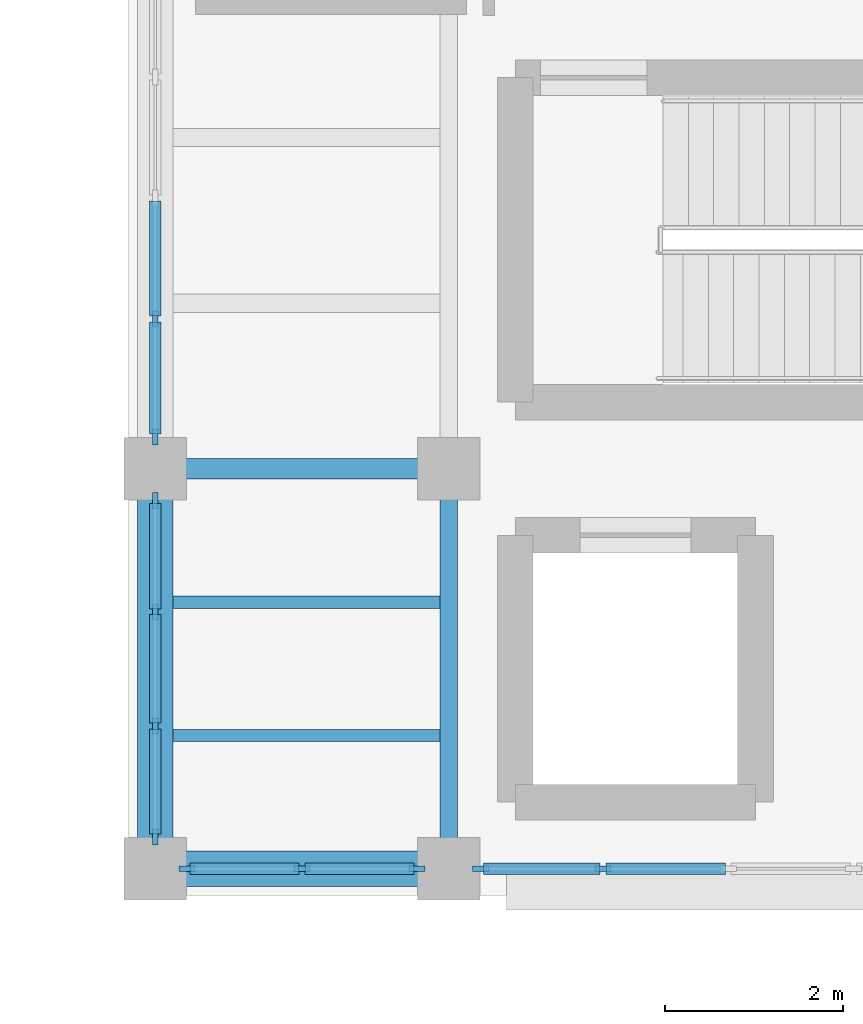
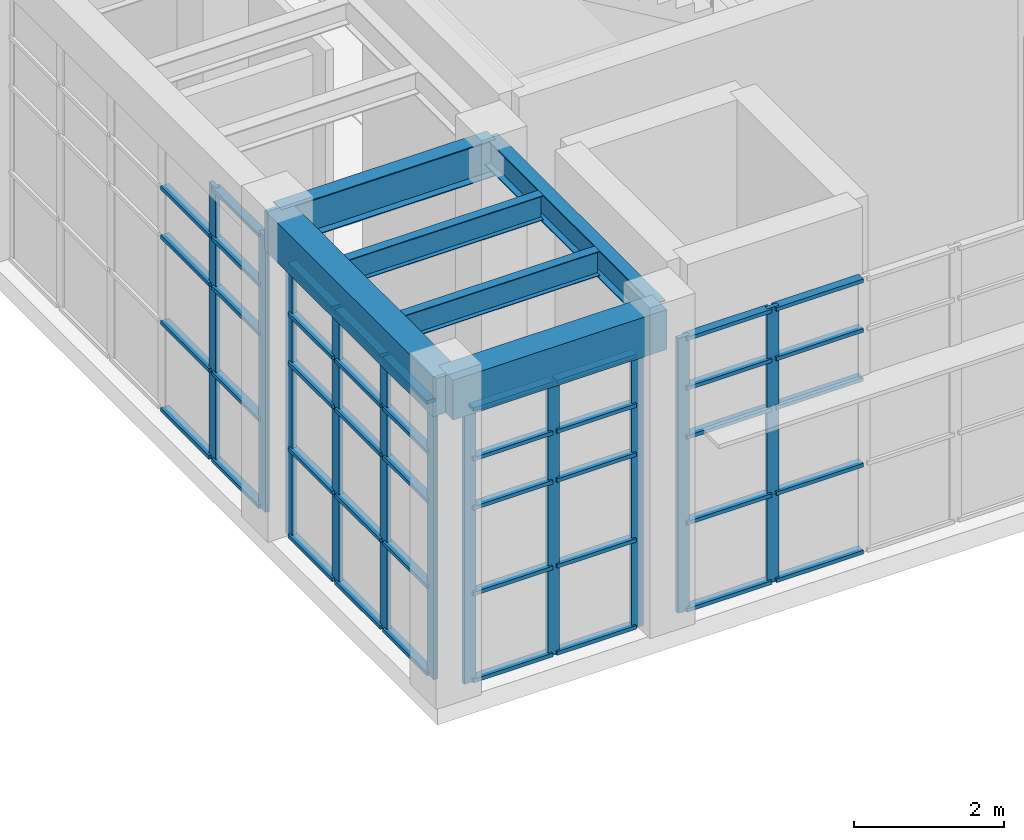
# One storey, part 33 of 103: 55 members, 6 beams, 4 elements without a shape of their own.
"""IFC4 building model written with IfcOpenShell, lengths in metres."""

from ifc_helpers import new_model, si_unit, direction, frame, origin, origin_2d, place, context, subcontext, project, spatial, rectangle, i_section, extrude, material, layer, layer_set, material_profile, profile_set, type_object, element, aggregate, save


model = new_model("IFC4")

# Units and contexts
model_context = context("Model", 3, precision=1e-05, world=origin(), true_north=direction((0.0, 1.0)))
body_context = subcontext(model_context, "Body", "Model", "MODEL_VIEW")
ifc_project = project(units=[si_unit("LENGTHUNIT", "METRE"), si_unit("AREAUNIT", "SQUARE_METRE"), si_unit("VOLUMEUNIT", "CUBIC_METRE"), si_unit("PLANEANGLEUNIT", "RADIAN"), si_unit("MASSUNIT", "GRAM", prefix="KILO")], contexts=[model_context])

# Site, building, storey
site_placement = place(None, origin())
site = spatial("IfcSite", under=ifc_project, at=site_placement, CompositionType="ELEMENT")
building_placement = place(site_placement, origin())
building = spatial("IfcBuilding", under=site, at=building_placement, Name="Candilejo Ridge Gondola Terminal", CompositionType="ELEMENT")
storey_placement = place(building_placement, frame((0.0, 0.0, 9.0)))
storey = spatial("IfcBuildingStorey", under=building, at=storey_placement, Name="L02", CompositionType="ELEMENT", Elevation=9.0)

# Curtain wall, members
ifc_material_1 = material(Name="Anodised aluminium AA 6063-T6", Category="aluminium")
ifc_layer_1 = layer(ifc_material_1, 0.169921875)
ifc_layer_set_1 = layer_set([ifc_layer_1], Name="ARC-CW-HALL-3800-385X449")
curtain_wall_type_1 = type_object("IfcCurtainWallType", Name="ARC-CW-HALL-3800-385X449", PredefinedType="NOTDEFINED", material=ifc_layer_set_1)
curtain_wall_1_placement = place(storey_placement, origin())
curtain_wall_1 = element("IfcCurtainWall", 1, at=curtain_wall_1_placement, inside=storey, type_object=curtain_wall_type_1, Name="Curtain wall V4 L02-132", PredefinedType="NOTDEFINED")
ifc_material_2 = material(Name="Anodised aluminium AA 6063-T6", Category="aluminium")
ifc_material_profile_1 = material_profile(ifc_material_2, rectangle(XDim=0.06494140625, YDim=0.179931640625, at=origin_2d()))
ifc_profile_set_1 = profile_set([ifc_material_profile_1], Name="Anodised aluminium AA 6063-T6")
member_type_1 = type_object("IfcMemberType", Name="ARC-CW-MULLION-180", PredefinedType="MULLION", material=ifc_profile_set_1)
member_1_placement = place(storey_placement, frame((133.89990234375, 6.657470703125, 0.0), z_axis=(0.0, 0.0, 1.0), x_axis=(-1.0, 0.0, 0.0)))
member_1 = element("IfcMember", 2, at=member_1_placement, type_object=member_type_1, Name="CW-38X44 mullion 1", PredefinedType="MULLION", context=body_context, shape_type="SweptSolid", body=[
    extrude(rectangle(XDim=0.06494140625, YDim=0.179931640625, at=origin_2d()), origin(), (0.0, 0.0, 1.0), 4.489990234375),
])
member_2_placement = place(storey_placement, frame((133.89990234375, 7.908447265625, 0.0), z_axis=(0.0, 0.0, 1.0), x_axis=(-1.0, 0.0, 0.0)))
member_2 = element("IfcMember", 3, at=member_2_placement, type_object=member_type_1, Name="CW-38X44 mullion 2", PredefinedType="MULLION", context=body_context, shape_type="SweptSolid", body=[
    extrude(rectangle(XDim=0.06494140625, YDim=0.179931640625, at=origin_2d()), origin(), (0.0, 0.0, 1.0), 4.489990234375),
])
member_3_placement = place(storey_placement, frame((133.89990234375, 9.191650390625, 0.0), z_axis=(0.0, 0.0, 1.0), x_axis=(-1.0, 0.0, 0.0)))
member_3 = element("IfcMember", 4, at=member_3_placement, type_object=member_type_1, Name="CW-38X44 mullion 3", PredefinedType="MULLION", context=body_context, shape_type="SweptSolid", body=[
    extrude(rectangle(XDim=0.06494140625, YDim=0.179931640625, at=origin_2d()), origin(), (0.0, 0.0, 1.0), 4.489990234375),
])
member_4_placement = place(storey_placement, frame((133.89990234375, 10.4423828125, 0.0), z_axis=(0.0, 0.0, 1.0), x_axis=(-1.0, 0.0, 0.0)))
member_4 = element("IfcMember", 5, at=member_4_placement, type_object=member_type_1, Name="CW-38X44 mullion 4", PredefinedType="MULLION", context=body_context, shape_type="SweptSolid", body=[
    extrude(rectangle(XDim=0.06494140625, YDim=0.179931640625, at=origin_2d()), origin(), (0.0, 0.0, 1.0), 4.489990234375),
])

ifc_material_3 = material(Name="Anodised aluminium AA 6063-T6", Category="aluminium")
ifc_layer_2 = layer(ifc_material_3, 0.169921875)
ifc_layer_set_2 = layer_set([ifc_layer_2], Name="ARC-CW-HALL-3800-680X449")
curtain_wall_type_2 = type_object("IfcCurtainWallType", Name="ARC-CW-HALL-3800-680X449", PredefinedType="NOTDEFINED", material=ifc_layer_set_2)
curtain_wall_2_placement = place(storey_placement, origin())
curtain_wall_2 = element("IfcCurtainWall", 6, at=curtain_wall_2_placement, inside=storey, type_object=curtain_wall_type_2, Name="Curtain wall V4 L02-134", PredefinedType="NOTDEFINED")
member_5_placement = place(storey_placement, frame((133.89990234375, 11.157470703125, 0.0), z_axis=(0.0, 0.0, 1.0), x_axis=(-1.0, 0.0, 0.0)))
member_5 = element("IfcMember", 7, at=member_5_placement, type_object=member_type_1, Name="CW-68X44 mullion 1", PredefinedType="MULLION", context=body_context, shape_type="SweptSolid", body=[
    extrude(rectangle(XDim=0.06494140625, YDim=0.179931640625, at=origin_2d()), origin(), (0.0, 0.0, 1.0), 4.489990234375),
])
member_6_placement = place(storey_placement, frame((133.89990234375, 12.485107421875, 0.0), z_axis=(0.0, 0.0, 1.0), x_axis=(-1.0, 0.0, 0.0)))
member_6 = element("IfcMember", 8, at=member_6_placement, type_object=member_type_1, Name="CW-68X44 mullion 2", PredefinedType="MULLION", context=body_context, shape_type="SweptSolid", body=[
    extrude(rectangle(XDim=0.06494140625, YDim=0.179931640625, at=origin_2d()), origin(), (0.0, 0.0, 1.0), 4.489990234375),
])

ifc_material_4 = material(Name="Anodised aluminium AA 6063-T6", Category="aluminium")
ifc_layer_3 = layer(ifc_material_4, 0.169921875)
ifc_layer_set_3 = layer_set([ifc_layer_3], Name="ARC-CW-HALL-3800-265X449")
curtain_wall_type_3 = type_object("IfcCurtainWallType", Name="ARC-CW-HALL-3800-265X449", PredefinedType="NOTDEFINED", material=ifc_layer_set_3)
curtain_wall_3_placement = place(storey_placement, origin())
curtain_wall_3 = element("IfcCurtainWall", 9, at=curtain_wall_3_placement, inside=storey, type_object=curtain_wall_type_3, Name="Curtain wall V4 L02-144", PredefinedType="NOTDEFINED")
member_7_placement = place(storey_placement, frame((134.257568359375, 6.300048828125, 0.0), z_axis=(0.0, 0.0, 1.0), x_axis=(0.0, 1.0, 0.0)))
member_7 = element("IfcMember", 10, at=member_7_placement, type_object=member_type_1, Name="CW-26X44 mullion 1", PredefinedType="MULLION", context=body_context, shape_type="SweptSolid", body=[
    extrude(rectangle(XDim=0.06494140625, YDim=0.179931640625, at=origin_2d()), origin(), (0.0, 0.0, 1.0), 4.489990234375),
])
member_8_placement = place(storey_placement, frame((135.550048828125, 6.300048828125, 0.0), z_axis=(0.0, 0.0, 1.0), x_axis=(0.0, 1.0, 0.0)))
member_8 = element("IfcMember", 11, at=member_8_placement, type_object=member_type_1, Name="CW-26X44 mullion 2", PredefinedType="MULLION", context=body_context, shape_type="SweptSolid", body=[
    extrude(rectangle(XDim=0.06494140625, YDim=0.179931640625, at=origin_2d()), origin(), (0.0, 0.0, 1.0), 4.489990234375),
])
member_9_placement = place(storey_placement, frame((136.842529296875, 6.300048828125, 0.0), z_axis=(0.0, 0.0, 1.0), x_axis=(0.0, 1.0, 0.0)))
member_9 = element("IfcMember", 12, at=member_9_placement, type_object=member_type_1, Name="CW-26X44 mullion 3", PredefinedType="MULLION", context=body_context, shape_type="SweptSolid", body=[
    extrude(rectangle(XDim=0.06494140625, YDim=0.179931640625, at=origin_2d()), origin(), (0.0, 0.0, 1.0), 4.489990234375),
])

ifc_material_5 = material(Name="Anodised aluminium AA 6063-T6", Category="aluminium")
ifc_layer_4 = layer(ifc_material_5, 0.169921875)
ifc_layer_set_4 = layer_set([ifc_layer_4], Name="ARC-CW-HALL-3800-1128X449")
curtain_wall_type_4 = type_object("IfcCurtainWallType", Name="ARC-CW-HALL-3800-1128X449", PredefinedType="NOTDEFINED", material=ifc_layer_set_4)
curtain_wall_4_placement = place(storey_placement, origin())
curtain_wall_4 = element("IfcCurtainWall", 13, at=curtain_wall_4_placement, inside=storey, type_object=curtain_wall_type_4, Name="Curtain wall V4 L02-146", PredefinedType="NOTDEFINED")
member_10_placement = place(storey_placement, frame((137.5576171875, 6.300048828125, 0.0), z_axis=(0.0, 0.0, 1.0), x_axis=(0.0, 1.0, 0.0)))
member_10 = element("IfcMember", 14, at=member_10_placement, type_object=member_type_1, Name="CW-112X44 mullion 1", PredefinedType="MULLION", context=body_context, shape_type="SweptSolid", body=[
    extrude(rectangle(XDim=0.06494140625, YDim=0.179931640625, at=origin_2d()), origin(), (0.0, 0.0, 1.0), 4.489990234375),
])
member_11_placement = place(storey_placement, frame((138.934326171875, 6.300048828125, 0.0), z_axis=(0.0, 0.0, 1.0), x_axis=(0.0, 1.0, 0.0)))
member_11 = element("IfcMember", 15, at=member_11_placement, type_object=member_type_1, Name="CW-112X44 mullion 2", PredefinedType="MULLION", context=body_context, shape_type="SweptSolid", body=[
    extrude(rectangle(XDim=0.06494140625, YDim=0.179931640625, at=origin_2d()), origin(), (0.0, 0.0, 1.0), 4.489990234375),
])

# Member
ifc_material_6 = material(Name="Anodised aluminium AA 6063-T6", Category="aluminium")
ifc_material_profile_2 = material_profile(ifc_material_6, rectangle(XDim=0.1298828125, YDim=0.06005859375, at=origin_2d()))
ifc_profile_set_2 = profile_set([ifc_material_profile_2], Name="Anodised aluminium AA 6063-T6")
member_type_2 = type_object("IfcMemberType", Name="ARC-CW-TRANSOM-130", PredefinedType="USERDEFINED", material=ifc_profile_set_2)
member_12_placement = place(storey_placement, frame((133.89990234375, 6.68994140625, 0.030029296875), z_axis=(0.0, 1.0, 0.0), x_axis=(-1.0, 0.0, 0.0)))
member_12 = element("IfcMember", 16, at=member_12_placement, type_object=member_type_2, Name="CW-38X44 transom 1.1", ObjectType="TRANSOM", PredefinedType="USERDEFINED", context=body_context, shape_type="SweptSolid", body=[
    extrude(rectangle(XDim=0.1298828125, YDim=0.06005859375, at=origin_2d()), origin(), (0.0, 0.0, 1.0), 1.185791015625),
])

member_13_placement = place(storey_placement, frame((133.89990234375, 6.68994140625, 1.449951171875), z_axis=(0.0, 1.0, 0.0), x_axis=(-1.0, 0.0, 0.0)))
member_13 = element("IfcMember", 17, at=member_13_placement, type_object=member_type_2, Name="CW-38X44 transom 1.2", ObjectType="TRANSOM", PredefinedType="USERDEFINED", context=body_context, shape_type="SweptSolid", body=[
    extrude(rectangle(XDim=0.1298828125, YDim=0.06005859375, at=origin_2d()), origin(), (0.0, 0.0, 1.0), 1.185791015625),
])

member_14_placement = place(storey_placement, frame((133.89990234375, 6.68994140625, 2.85009765625), z_axis=(0.0, 1.0, 0.0), x_axis=(-1.0, 0.0, 0.0)))
member_14 = element("IfcMember", 18, at=member_14_placement, type_object=member_type_2, Name="CW-38X44 transom 1.3", ObjectType="TRANSOM", PredefinedType="USERDEFINED", context=body_context, shape_type="SweptSolid", body=[
    extrude(rectangle(XDim=0.1298828125, YDim=0.06005859375, at=origin_2d()), origin(), (0.0, 0.0, 1.0), 1.185791015625),
])

member_15_placement = place(storey_placement, frame((133.89990234375, 6.68994140625, 3.64990234375), z_axis=(0.0, 1.0, 0.0), x_axis=(-1.0, 0.0, 0.0)))
member_15 = element("IfcMember", 19, at=member_15_placement, type_object=member_type_2, Name="CW-38X44 transom 1.4", ObjectType="TRANSOM", PredefinedType="USERDEFINED", context=body_context, shape_type="SweptSolid", body=[
    extrude(rectangle(XDim=0.1298828125, YDim=0.06005859375, at=origin_2d()), origin(), (0.0, 0.0, 1.0), 1.185791015625),
])

member_16_placement = place(storey_placement, frame((133.89990234375, 6.68994140625, 4.4599609375), z_axis=(0.0, 1.0, 0.0), x_axis=(-1.0, 0.0, 0.0)))
member_16 = element("IfcMember", 20, at=member_16_placement, type_object=member_type_2, Name="CW-38X44 transom 1.5", ObjectType="TRANSOM", PredefinedType="USERDEFINED", context=body_context, shape_type="SweptSolid", body=[
    extrude(rectangle(XDim=0.1298828125, YDim=0.06005859375, at=origin_2d()), origin(), (0.0, 0.0, 1.0), 1.185791015625),
])

member_17_placement = place(storey_placement, frame((133.89990234375, 7.94091796875, 0.030029296875), z_axis=(0.0, 1.0, 0.0), x_axis=(-1.0, 0.0, 0.0)))
member_17 = element("IfcMember", 21, at=member_17_placement, type_object=member_type_2, Name="CW-38X44 transom 2.1", ObjectType="TRANSOM", PredefinedType="USERDEFINED", context=body_context, shape_type="SweptSolid", body=[
    extrude(rectangle(XDim=0.1298828125, YDim=0.06005859375, at=origin_2d()), origin(), (0.0, 0.0, 1.0), 1.21826171875),
])

member_18_placement = place(storey_placement, frame((133.89990234375, 7.94091796875, 1.449951171875), z_axis=(0.0, 1.0, 0.0), x_axis=(-1.0, 0.0, 0.0)))
member_18 = element("IfcMember", 22, at=member_18_placement, type_object=member_type_2, Name="CW-38X44 transom 2.2", ObjectType="TRANSOM", PredefinedType="USERDEFINED", context=body_context, shape_type="SweptSolid", body=[
    extrude(rectangle(XDim=0.1298828125, YDim=0.06005859375, at=origin_2d()), origin(), (0.0, 0.0, 1.0), 1.21826171875),
])

member_19_placement = place(storey_placement, frame((133.89990234375, 7.94091796875, 2.85009765625), z_axis=(0.0, 1.0, 0.0), x_axis=(-1.0, 0.0, 0.0)))
member_19 = element("IfcMember", 23, at=member_19_placement, type_object=member_type_2, Name="CW-38X44 transom 2.3", ObjectType="TRANSOM", PredefinedType="USERDEFINED", context=body_context, shape_type="SweptSolid", body=[
    extrude(rectangle(XDim=0.1298828125, YDim=0.06005859375, at=origin_2d()), origin(), (0.0, 0.0, 1.0), 1.21826171875),
])

member_20_placement = place(storey_placement, frame((133.89990234375, 7.94091796875, 3.64990234375), z_axis=(0.0, 1.0, 0.0), x_axis=(-1.0, 0.0, 0.0)))
member_20 = element("IfcMember", 24, at=member_20_placement, type_object=member_type_2, Name="CW-38X44 transom 2.4", ObjectType="TRANSOM", PredefinedType="USERDEFINED", context=body_context, shape_type="SweptSolid", body=[
    extrude(rectangle(XDim=0.1298828125, YDim=0.06005859375, at=origin_2d()), origin(), (0.0, 0.0, 1.0), 1.21826171875),
])

member_21_placement = place(storey_placement, frame((133.89990234375, 7.94091796875, 4.4599609375), z_axis=(0.0, 1.0, 0.0), x_axis=(-1.0, 0.0, 0.0)))
member_21 = element("IfcMember", 25, at=member_21_placement, type_object=member_type_2, Name="CW-38X44 transom 2.5", ObjectType="TRANSOM", PredefinedType="USERDEFINED", context=body_context, shape_type="SweptSolid", body=[
    extrude(rectangle(XDim=0.1298828125, YDim=0.06005859375, at=origin_2d()), origin(), (0.0, 0.0, 1.0), 1.21826171875),
])

member_22_placement = place(storey_placement, frame((133.89990234375, 9.22412109375, 0.030029296875), z_axis=(0.0, 1.0, 0.0), x_axis=(-1.0, 0.0, 0.0)))
member_22 = element("IfcMember", 26, at=member_22_placement, type_object=member_type_2, Name="CW-38X44 transom 3.1", ObjectType="TRANSOM", PredefinedType="USERDEFINED", context=body_context, shape_type="SweptSolid", body=[
    extrude(rectangle(XDim=0.1298828125, YDim=0.06005859375, at=origin_2d()), origin(), (0.0, 0.0, 1.0), 1.185791015625),
])

member_23_placement = place(storey_placement, frame((133.89990234375, 9.22412109375, 1.449951171875), z_axis=(0.0, 1.0, 0.0), x_axis=(-1.0, 0.0, 0.0)))
member_23 = element("IfcMember", 27, at=member_23_placement, type_object=member_type_2, Name="CW-38X44 transom 3.2", ObjectType="TRANSOM", PredefinedType="USERDEFINED", context=body_context, shape_type="SweptSolid", body=[
    extrude(rectangle(XDim=0.1298828125, YDim=0.06005859375, at=origin_2d()), origin(), (0.0, 0.0, 1.0), 1.185791015625),
])

member_24_placement = place(storey_placement, frame((133.89990234375, 9.22412109375, 2.85009765625), z_axis=(0.0, 1.0, 0.0), x_axis=(-1.0, 0.0, 0.0)))
member_24 = element("IfcMember", 28, at=member_24_placement, type_object=member_type_2, Name="CW-38X44 transom 3.3", ObjectType="TRANSOM", PredefinedType="USERDEFINED", context=body_context, shape_type="SweptSolid", body=[
    extrude(rectangle(XDim=0.1298828125, YDim=0.06005859375, at=origin_2d()), origin(), (0.0, 0.0, 1.0), 1.185791015625),
])

member_25_placement = place(storey_placement, frame((133.89990234375, 9.22412109375, 3.64990234375), z_axis=(0.0, 1.0, 0.0), x_axis=(-1.0, 0.0, 0.0)))
member_25 = element("IfcMember", 29, at=member_25_placement, type_object=member_type_2, Name="CW-38X44 transom 3.4", ObjectType="TRANSOM", PredefinedType="USERDEFINED", context=body_context, shape_type="SweptSolid", body=[
    extrude(rectangle(XDim=0.1298828125, YDim=0.06005859375, at=origin_2d()), origin(), (0.0, 0.0, 1.0), 1.185791015625),
])

member_26_placement = place(storey_placement, frame((133.89990234375, 9.22412109375, 4.4599609375), z_axis=(0.0, 1.0, 0.0), x_axis=(-1.0, 0.0, 0.0)))
member_26 = element("IfcMember", 30, at=member_26_placement, type_object=member_type_2, Name="CW-38X44 transom 3.5", ObjectType="TRANSOM", PredefinedType="USERDEFINED", context=body_context, shape_type="SweptSolid", body=[
    extrude(rectangle(XDim=0.1298828125, YDim=0.06005859375, at=origin_2d()), origin(), (0.0, 0.0, 1.0), 1.185791015625),
])

aggregate(curtain_wall_1, [member_1, member_2, member_3, member_4, member_12, member_13, member_14, member_15, member_16, member_17, member_18, member_19, member_20, member_21, member_22, member_23, member_24, member_25, member_26])

member_27_placement = place(storey_placement, frame((133.89990234375, 11.18994140625, 0.030029296875), z_axis=(0.0, 1.0, 0.0), x_axis=(-1.0, 0.0, 0.0)))
member_27 = element("IfcMember", 31, at=member_27_placement, type_object=member_type_2, Name="CW-68X44 transom 1.1", ObjectType="TRANSOM", PredefinedType="USERDEFINED", context=body_context, shape_type="SweptSolid", body=[
    extrude(rectangle(XDim=0.1298828125, YDim=0.06005859375, at=origin_2d()), origin(), (0.0, 0.0, 1.0), 1.262451171875),
])

member_28_placement = place(storey_placement, frame((133.89990234375, 11.18994140625, 1.449951171875), z_axis=(0.0, 1.0, 0.0), x_axis=(-1.0, 0.0, 0.0)))
member_28 = element("IfcMember", 32, at=member_28_placement, type_object=member_type_2, Name="CW-68X44 transom 1.2", ObjectType="TRANSOM", PredefinedType="USERDEFINED", context=body_context, shape_type="SweptSolid", body=[
    extrude(rectangle(XDim=0.1298828125, YDim=0.06005859375, at=origin_2d()), origin(), (0.0, 0.0, 1.0), 1.262451171875),
])

member_29_placement = place(storey_placement, frame((133.89990234375, 11.18994140625, 2.85009765625), z_axis=(0.0, 1.0, 0.0), x_axis=(-1.0, 0.0, 0.0)))
member_29 = element("IfcMember", 33, at=member_29_placement, type_object=member_type_2, Name="CW-68X44 transom 1.3", ObjectType="TRANSOM", PredefinedType="USERDEFINED", context=body_context, shape_type="SweptSolid", body=[
    extrude(rectangle(XDim=0.1298828125, YDim=0.06005859375, at=origin_2d()), origin(), (0.0, 0.0, 1.0), 1.262451171875),
])

member_30_placement = place(storey_placement, frame((133.89990234375, 11.18994140625, 3.64990234375), z_axis=(0.0, 1.0, 0.0), x_axis=(-1.0, 0.0, 0.0)))
member_30 = element("IfcMember", 34, at=member_30_placement, type_object=member_type_2, Name="CW-68X44 transom 1.4", ObjectType="TRANSOM", PredefinedType="USERDEFINED", context=body_context, shape_type="SweptSolid", body=[
    extrude(rectangle(XDim=0.1298828125, YDim=0.06005859375, at=origin_2d()), origin(), (0.0, 0.0, 1.0), 1.262451171875),
])

member_31_placement = place(storey_placement, frame((133.89990234375, 11.18994140625, 4.4599609375), z_axis=(0.0, 1.0, 0.0), x_axis=(-1.0, 0.0, 0.0)))
member_31 = element("IfcMember", 35, at=member_31_placement, type_object=member_type_2, Name="CW-68X44 transom 1.5", ObjectType="TRANSOM", PredefinedType="USERDEFINED", context=body_context, shape_type="SweptSolid", body=[
    extrude(rectangle(XDim=0.1298828125, YDim=0.06005859375, at=origin_2d()), origin(), (0.0, 0.0, 1.0), 1.262451171875),
])

member_32_placement = place(storey_placement, frame((133.89990234375, 12.517578125, 0.030029296875), z_axis=(0.0, 1.0, 0.0), x_axis=(-1.0, 0.0, 0.0)))
member_32 = element("IfcMember", 36, at=member_32_placement, type_object=member_type_2, Name="CW-68X44 transom 2.1", ObjectType="TRANSOM", PredefinedType="USERDEFINED", context=body_context, shape_type="SweptSolid", body=[
    extrude(rectangle(XDim=0.1298828125, YDim=0.06005859375, at=origin_2d()), origin(), (0.0, 0.0, 1.0), 1.294921875),
])

member_33_placement = place(storey_placement, frame((133.89990234375, 12.517578125, 1.449951171875), z_axis=(0.0, 1.0, 0.0), x_axis=(-1.0, 0.0, 0.0)))
member_33 = element("IfcMember", 37, at=member_33_placement, type_object=member_type_2, Name="CW-68X44 transom 2.2", ObjectType="TRANSOM", PredefinedType="USERDEFINED", context=body_context, shape_type="SweptSolid", body=[
    extrude(rectangle(XDim=0.1298828125, YDim=0.06005859375, at=origin_2d()), origin(), (0.0, 0.0, 1.0), 1.294921875),
])

member_34_placement = place(storey_placement, frame((133.89990234375, 12.517578125, 2.85009765625), z_axis=(0.0, 1.0, 0.0), x_axis=(-1.0, 0.0, 0.0)))
member_34 = element("IfcMember", 38, at=member_34_placement, type_object=member_type_2, Name="CW-68X44 transom 2.3", ObjectType="TRANSOM", PredefinedType="USERDEFINED", context=body_context, shape_type="SweptSolid", body=[
    extrude(rectangle(XDim=0.1298828125, YDim=0.06005859375, at=origin_2d()), origin(), (0.0, 0.0, 1.0), 1.294921875),
])

member_35_placement = place(storey_placement, frame((133.89990234375, 12.517578125, 3.64990234375), z_axis=(0.0, 1.0, 0.0), x_axis=(-1.0, 0.0, 0.0)))
member_35 = element("IfcMember", 39, at=member_35_placement, type_object=member_type_2, Name="CW-68X44 transom 2.4", ObjectType="TRANSOM", PredefinedType="USERDEFINED", context=body_context, shape_type="SweptSolid", body=[
    extrude(rectangle(XDim=0.1298828125, YDim=0.06005859375, at=origin_2d()), origin(), (0.0, 0.0, 1.0), 1.294921875),
])

aggregate(curtain_wall_2, [member_5, member_6, member_27, member_28, member_29, member_30, member_31, member_32, member_33, member_34, member_35])

member_36_placement = place(storey_placement, frame((134.2900390625, 6.300048828125, 0.030029296875), z_axis=(1.0, 0.0, 0.0), x_axis=(0.0, 1.0, 0.0)))
member_36 = element("IfcMember", 40, at=member_36_placement, type_object=member_type_2, Name="CW-26X44 transom 1.1", ObjectType="TRANSOM", PredefinedType="USERDEFINED", context=body_context, shape_type="SweptSolid", body=[
    extrude(rectangle(XDim=0.1298828125, YDim=0.06005859375, at=origin_2d()), origin(), (0.0, 0.0, 1.0), 1.2275390625),
])

member_37_placement = place(storey_placement, frame((134.2900390625, 6.300048828125, 1.449951171875), z_axis=(1.0, 0.0, 0.0), x_axis=(0.0, 1.0, 0.0)))
member_37 = element("IfcMember", 41, at=member_37_placement, type_object=member_type_2, Name="CW-26X44 transom 1.2", ObjectType="TRANSOM", PredefinedType="USERDEFINED", context=body_context, shape_type="SweptSolid", body=[
    extrude(rectangle(XDim=0.1298828125, YDim=0.06005859375, at=origin_2d()), origin(), (0.0, 0.0, 1.0), 1.2275390625),
])

member_38_placement = place(storey_placement, frame((134.2900390625, 6.300048828125, 2.85009765625), z_axis=(1.0, 0.0, 0.0), x_axis=(0.0, 1.0, 0.0)))
member_38 = element("IfcMember", 42, at=member_38_placement, type_object=member_type_2, Name="CW-26X44 transom 1.3", ObjectType="TRANSOM", PredefinedType="USERDEFINED", context=body_context, shape_type="SweptSolid", body=[
    extrude(rectangle(XDim=0.1298828125, YDim=0.06005859375, at=origin_2d()), origin(), (0.0, 0.0, 1.0), 1.2275390625),
])

member_39_placement = place(storey_placement, frame((134.2900390625, 6.300048828125, 3.64990234375), z_axis=(1.0, 0.0, 0.0), x_axis=(0.0, 1.0, 0.0)))
member_39 = element("IfcMember", 43, at=member_39_placement, type_object=member_type_2, Name="CW-26X44 transom 1.4", ObjectType="TRANSOM", PredefinedType="USERDEFINED", context=body_context, shape_type="SweptSolid", body=[
    extrude(rectangle(XDim=0.1298828125, YDim=0.06005859375, at=origin_2d()), origin(), (0.0, 0.0, 1.0), 1.2275390625),
])

member_40_placement = place(storey_placement, frame((134.2900390625, 6.300048828125, 4.4599609375), z_axis=(1.0, 0.0, 0.0), x_axis=(0.0, 1.0, 0.0)))
member_40 = element("IfcMember", 44, at=member_40_placement, type_object=member_type_2, Name="CW-26X44 transom 1.5", ObjectType="TRANSOM", PredefinedType="USERDEFINED", context=body_context, shape_type="SweptSolid", body=[
    extrude(rectangle(XDim=0.1298828125, YDim=0.06005859375, at=origin_2d()), origin(), (0.0, 0.0, 1.0), 1.2275390625),
])

member_41_placement = place(storey_placement, frame((135.58251953125, 6.300048828125, 0.030029296875), z_axis=(1.0, 0.0, 0.0), x_axis=(0.0, 1.0, 0.0)))
member_41 = element("IfcMember", 45, at=member_41_placement, type_object=member_type_2, Name="CW-26X44 transom 2.1", ObjectType="TRANSOM", PredefinedType="USERDEFINED", context=body_context, shape_type="SweptSolid", body=[
    extrude(rectangle(XDim=0.1298828125, YDim=0.06005859375, at=origin_2d()), origin(), (0.0, 0.0, 1.0), 1.2275390625),
])

member_42_placement = place(storey_placement, frame((135.58251953125, 6.300048828125, 1.449951171875), z_axis=(1.0, 0.0, 0.0), x_axis=(0.0, 1.0, 0.0)))
member_42 = element("IfcMember", 46, at=member_42_placement, type_object=member_type_2, Name="CW-26X44 transom 2.2", ObjectType="TRANSOM", PredefinedType="USERDEFINED", context=body_context, shape_type="SweptSolid", body=[
    extrude(rectangle(XDim=0.1298828125, YDim=0.06005859375, at=origin_2d()), origin(), (0.0, 0.0, 1.0), 1.2275390625),
])

member_43_placement = place(storey_placement, frame((135.58251953125, 6.300048828125, 2.85009765625), z_axis=(1.0, 0.0, 0.0), x_axis=(0.0, 1.0, 0.0)))
member_43 = element("IfcMember", 47, at=member_43_placement, type_object=member_type_2, Name="CW-26X44 transom 2.3", ObjectType="TRANSOM", PredefinedType="USERDEFINED", context=body_context, shape_type="SweptSolid", body=[
    extrude(rectangle(XDim=0.1298828125, YDim=0.06005859375, at=origin_2d()), origin(), (0.0, 0.0, 1.0), 1.2275390625),
])

member_44_placement = place(storey_placement, frame((135.58251953125, 6.300048828125, 3.64990234375), z_axis=(1.0, 0.0, 0.0), x_axis=(0.0, 1.0, 0.0)))
member_44 = element("IfcMember", 48, at=member_44_placement, type_object=member_type_2, Name="CW-26X44 transom 2.4", ObjectType="TRANSOM", PredefinedType="USERDEFINED", context=body_context, shape_type="SweptSolid", body=[
    extrude(rectangle(XDim=0.1298828125, YDim=0.06005859375, at=origin_2d()), origin(), (0.0, 0.0, 1.0), 1.2275390625),
])

member_45_placement = place(storey_placement, frame((135.58251953125, 6.300048828125, 4.4599609375), z_axis=(1.0, 0.0, 0.0), x_axis=(0.0, 1.0, 0.0)))
member_45 = element("IfcMember", 49, at=member_45_placement, type_object=member_type_2, Name="CW-26X44 transom 2.5", ObjectType="TRANSOM", PredefinedType="USERDEFINED", context=body_context, shape_type="SweptSolid", body=[
    extrude(rectangle(XDim=0.1298828125, YDim=0.06005859375, at=origin_2d()), origin(), (0.0, 0.0, 1.0), 1.2275390625),
])

aggregate(curtain_wall_3, [member_7, member_8, member_9, member_36, member_37, member_38, member_39, member_40, member_41, member_42, member_43, member_44, member_45])

member_46_placement = place(storey_placement, frame((137.590087890625, 6.300048828125, 0.030029296875), z_axis=(1.0, 0.0, 0.0), x_axis=(0.0, 1.0, 0.0)))
member_46 = element("IfcMember", 50, at=member_46_placement, type_object=member_type_2, Name="CW-112X44 transom 1.1", ObjectType="TRANSOM", PredefinedType="USERDEFINED", context=body_context, shape_type="SweptSolid", body=[
    extrude(rectangle(XDim=0.1298828125, YDim=0.06005859375, at=origin_2d()), origin(), (0.0, 0.0, 1.0), 1.311767578125),
])

member_47_placement = place(storey_placement, frame((137.590087890625, 6.300048828125, 1.449951171875), z_axis=(1.0, 0.0, 0.0), x_axis=(0.0, 1.0, 0.0)))
member_47 = element("IfcMember", 51, at=member_47_placement, type_object=member_type_2, Name="CW-112X44 transom 1.2", ObjectType="TRANSOM", PredefinedType="USERDEFINED", context=body_context, shape_type="SweptSolid", body=[
    extrude(rectangle(XDim=0.1298828125, YDim=0.06005859375, at=origin_2d()), origin(), (0.0, 0.0, 1.0), 1.311767578125),
])

member_48_placement = place(storey_placement, frame((137.590087890625, 6.300048828125, 2.85009765625), z_axis=(1.0, 0.0, 0.0), x_axis=(0.0, 1.0, 0.0)))
member_48 = element("IfcMember", 52, at=member_48_placement, type_object=member_type_2, Name="CW-112X44 transom 1.3", ObjectType="TRANSOM", PredefinedType="USERDEFINED", context=body_context, shape_type="SweptSolid", body=[
    extrude(rectangle(XDim=0.1298828125, YDim=0.06005859375, at=origin_2d()), origin(), (0.0, 0.0, 1.0), 1.311767578125),
])

member_49_placement = place(storey_placement, frame((137.590087890625, 6.300048828125, 3.64990234375), z_axis=(1.0, 0.0, 0.0), x_axis=(0.0, 1.0, 0.0)))
member_49 = element("IfcMember", 53, at=member_49_placement, type_object=member_type_2, Name="CW-112X44 transom 1.4", ObjectType="TRANSOM", PredefinedType="USERDEFINED", context=body_context, shape_type="SweptSolid", body=[
    extrude(rectangle(XDim=0.1298828125, YDim=0.06005859375, at=origin_2d()), origin(), (0.0, 0.0, 1.0), 1.311767578125),
])

member_50_placement = place(storey_placement, frame((137.590087890625, 6.300048828125, 4.4599609375), z_axis=(1.0, 0.0, 0.0), x_axis=(0.0, 1.0, 0.0)))
member_50 = element("IfcMember", 54, at=member_50_placement, type_object=member_type_2, Name="CW-112X44 transom 1.5", ObjectType="TRANSOM", PredefinedType="USERDEFINED", context=body_context, shape_type="SweptSolid", body=[
    extrude(rectangle(XDim=0.1298828125, YDim=0.06005859375, at=origin_2d()), origin(), (0.0, 0.0, 1.0), 1.311767578125),
])

member_51_placement = place(storey_placement, frame((138.966796875, 6.300048828125, 0.030029296875), z_axis=(1.0, 0.0, 0.0), x_axis=(0.0, 1.0, 0.0)))
member_51 = element("IfcMember", 55, at=member_51_placement, type_object=member_type_2, Name="CW-112X44 transom 2.1", ObjectType="TRANSOM", PredefinedType="USERDEFINED", context=body_context, shape_type="SweptSolid", body=[
    extrude(rectangle(XDim=0.1298828125, YDim=0.06005859375, at=origin_2d()), origin(), (0.0, 0.0, 1.0), 1.344482421875),
])

member_52_placement = place(storey_placement, frame((138.966796875, 6.300048828125, 1.449951171875), z_axis=(1.0, 0.0, 0.0), x_axis=(0.0, 1.0, 0.0)))
member_52 = element("IfcMember", 56, at=member_52_placement, type_object=member_type_2, Name="CW-112X44 transom 2.2", ObjectType="TRANSOM", PredefinedType="USERDEFINED", context=body_context, shape_type="SweptSolid", body=[
    extrude(rectangle(XDim=0.1298828125, YDim=0.06005859375, at=origin_2d()), origin(), (0.0, 0.0, 1.0), 1.344482421875),
])

member_53_placement = place(storey_placement, frame((138.966796875, 6.300048828125, 2.85009765625), z_axis=(1.0, 0.0, 0.0), x_axis=(0.0, 1.0, 0.0)))
member_53 = element("IfcMember", 57, at=member_53_placement, type_object=member_type_2, Name="CW-112X44 transom 2.3", ObjectType="TRANSOM", PredefinedType="USERDEFINED", context=body_context, shape_type="SweptSolid", body=[
    extrude(rectangle(XDim=0.1298828125, YDim=0.06005859375, at=origin_2d()), origin(), (0.0, 0.0, 1.0), 1.344482421875),
])

member_54_placement = place(storey_placement, frame((138.966796875, 6.300048828125, 3.64990234375), z_axis=(1.0, 0.0, 0.0), x_axis=(0.0, 1.0, 0.0)))
member_54 = element("IfcMember", 58, at=member_54_placement, type_object=member_type_2, Name="CW-112X44 transom 2.4", ObjectType="TRANSOM", PredefinedType="USERDEFINED", context=body_context, shape_type="SweptSolid", body=[
    extrude(rectangle(XDim=0.1298828125, YDim=0.06005859375, at=origin_2d()), origin(), (0.0, 0.0, 1.0), 1.344482421875),
])

member_55_placement = place(storey_placement, frame((138.966796875, 6.300048828125, 4.4599609375), z_axis=(1.0, 0.0, 0.0), x_axis=(0.0, 1.0, 0.0)))
member_55 = element("IfcMember", 59, at=member_55_placement, type_object=member_type_2, Name="CW-112X44 transom 2.5", ObjectType="TRANSOM", PredefinedType="USERDEFINED", context=body_context, shape_type="SweptSolid", body=[
    extrude(rectangle(XDim=0.1298828125, YDim=0.06005859375, at=origin_2d()), origin(), (0.0, 0.0, 1.0), 1.344482421875),
])

aggregate(curtain_wall_4, [member_10, member_11, member_46, member_47, member_48, member_49, member_50, member_51, member_52, member_53, member_54, member_55])

# Beams
ifc_material_7 = material(Name="Steel ASTM A992 Grade 50", Category="steel")
ifc_material_profile_3 = material_profile(ifc_material_7, i_section(OverallWidth=0.19189453125, OverallDepth=0.462890625, WebThickness=0.010498046875, FlangeThickness=0.017578125, at=origin_2d()))
ifc_profile_set_3 = profile_set([ifc_material_profile_3], Name="Steel ASTM A992 Grade 50")
beam_type_1 = type_object("IfcBeamType", Name="STR-BM-W460X89", PredefinedType="BEAM", material=ifc_profile_set_3)
beam_1_placement = place(storey_placement, frame((137.199951171875, 6.300048828125, 4.928466796875), z_axis=(0.0, 1.0, 0.0), x_axis=(-1.0, 0.0, 0.0)))
element("IfcBeam", 60, at=beam_1_placement, inside=storey, type_object=beam_type_1, Name="Beam Y V4 L02 Y01-Y02@X22", PredefinedType="BEAM", context=body_context, shape_type="SweptSolid", body=[
    extrude(i_section(OverallWidth=0.19189453125, OverallDepth=0.462890625, WebThickness=0.010498046875, FlangeThickness=0.017578125, at=origin_2d()), origin(), (0.0, 0.0, 1.0), 4.5),
])
ifc_material_8 = material(Name="Steel ASTM A992 Grade 50", Category="steel")
ifc_material_profile_4 = material_profile(ifc_material_8, i_section(OverallWidth=0.22802734375, OverallDepth=0.60302734375, WebThickness=0.010498046875, FlangeThickness=0.014892578125, at=origin_2d()))
ifc_profile_set_4 = profile_set([ifc_material_profile_4], Name="Steel ASTM A992 Grade 50")
beam_type_2 = type_object("IfcBeamType", Name="STR-BM-W610X101", PredefinedType="BEAM", material=ifc_profile_set_4)
beam_2_placement = place(storey_placement, frame((133.89990234375, 10.800048828125, 4.8583984375), z_axis=(1.0, 0.0, 0.0), x_axis=(0.0, 1.0, 0.0)))
element("IfcBeam", 61, at=beam_2_placement, inside=storey, type_object=beam_type_2, Name="Beam X V4 L02 X21-X22@Y02", PredefinedType="BEAM", context=body_context, shape_type="SweptSolid", body=[
    extrude(i_section(OverallWidth=0.22802734375, OverallDepth=0.60302734375, WebThickness=0.010498046875, FlangeThickness=0.014892578125, at=origin_2d()), origin(), (0.0, 0.0, 1.0), 3.300048828125),
])
ifc_material_9 = material(Name="Steel ASTM A992 Grade 50", Category="steel")
ifc_material_profile_5 = material_profile(ifc_material_9, i_section(OverallWidth=0.139892578125, OverallDepth=0.403076171875, WebThickness=0.007080078125, FlangeThickness=0.01123046875, at=origin_2d()))
ifc_profile_set_5 = profile_set([ifc_material_profile_5], Name="Steel ASTM A992 Grade 50")
beam_type_3 = type_object("IfcBeamType", Name="STR-JST-W410X46", PredefinedType="JOIST", material=ifc_profile_set_5)
for number, where, z_axis, x_axis, name in (
    (62, (134.10009765625, 7.800048828125, 4.95849609375), (1.0, 0.0, 0.0), (0.0, 1.0, 0.0), "Composite joist V4 L02-0967"),
    (63, (134.10009765625, 9.300048828125, 4.95849609375), (1.0, 0.0, 0.0), (0.0, 1.0, 0.0), "Composite joist V4 L02-0968"),
):
    element("IfcBeam", number, at=place(storey_placement, frame(where, z_axis=z_axis, x_axis=x_axis)), inside=storey, type_object=beam_type_3, Name=name, PredefinedType="JOIST", context=body_context, shape_type="SweptSolid", body=[
        extrude(i_section(OverallWidth=0.139892578125, OverallDepth=0.403076171875, WebThickness=0.007080078125, FlangeThickness=0.01123046875, at=origin_2d()), origin(), (0.0, 0.0, 1.0), 3.00390625),
    ])
ifc_material_10 = material(Name="Concrete f'c 35 MPa (C35/45)", Category="concrete")
ifc_material_profile_6 = material_profile(ifc_material_10, rectangle(XDim=0.39990234375, YDim=0.64990234375, at=origin_2d()))
ifc_profile_set_6 = profile_set([ifc_material_profile_6], Name="Concrete f'c 35 MPa (C35/45)")
beam_type_4 = type_object("IfcBeamType", Name="STR-SPN-RC400X650", PredefinedType="SPANDREL", material=ifc_profile_set_6)
beam_3_placement = place(storey_placement, frame((133.89990234375, 6.300048828125, 4.8349609375), z_axis=(1.0, 0.0, 0.0), x_axis=(0.0, 1.0, 0.0)))
element("IfcBeam", 64, at=beam_3_placement, inside=storey, type_object=beam_type_4, Name="Beam X V4 L02 X21-X22@Y01", PredefinedType="SPANDREL", context=body_context, shape_type="SweptSolid", body=[
    extrude(rectangle(XDim=0.39990234375, YDim=0.64990234375, at=origin_2d()), origin(), (0.0, 0.0, 1.0), 3.300048828125),
])
beam_4_placement = place(storey_placement, frame((133.89990234375, 6.300048828125, 4.8349609375), z_axis=(0.0, 1.0, 0.0), x_axis=(-1.0, 0.0, 0.0)))
element("IfcBeam", 65, at=beam_4_placement, inside=storey, type_object=beam_type_4, Name="Beam Y V4 L02 Y01-Y02@X21", PredefinedType="SPANDREL", context=body_context, shape_type="SweptSolid", body=[
    extrude(rectangle(XDim=0.39990234375, YDim=0.64990234375, at=origin_2d()), origin(), (0.0, 0.0, 1.0), 4.5),
])

save(model, "model.ifc")
